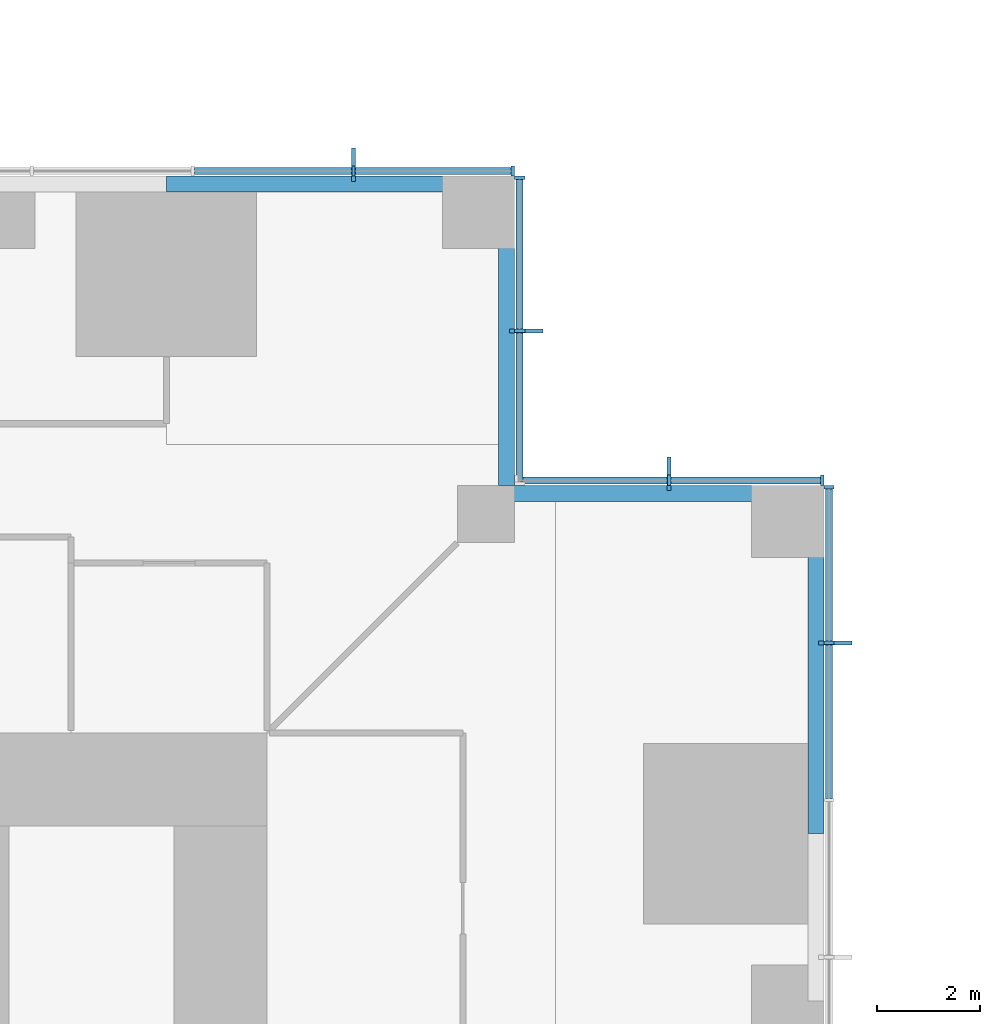
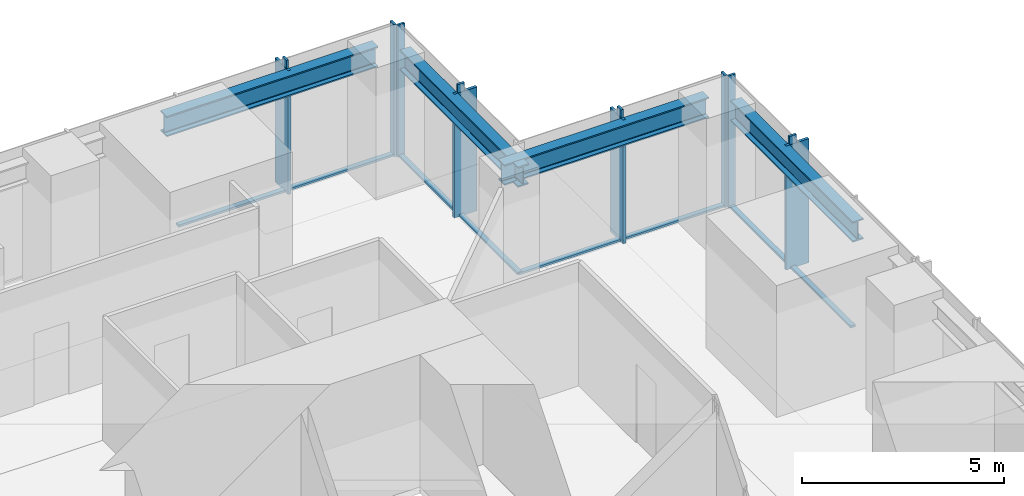
# One storey, part 6 of 15: 20 members, 4 beams, 4 elements without a shape of their own.
"""IFC4 building model written with IfcOpenShell, lengths in metres."""

from ifc_helpers import new_model, si_unit, direction, frame, origin, origin_2d, place, context, subcontext, project, spatial, rectangle, i_section, extrude, material, material_profile, profile_set, type_object, element, aggregate, save


model = new_model("IFC4")

# Units and contexts
model_context = context("Model", 3, precision=1e-05, world=origin(), true_north=direction((0.0, 1.0)))
body_context = subcontext(model_context, "Body", "Model", "MODEL_VIEW")
ifc_project = project(units=[si_unit("LENGTHUNIT", "METRE"), si_unit("AREAUNIT", "SQUARE_METRE"), si_unit("VOLUMEUNIT", "CUBIC_METRE"), si_unit("PLANEANGLEUNIT", "RADIAN"), si_unit("MASSUNIT", "GRAM", prefix="KILO")], contexts=[model_context])

# Site, building, storey
site_placement = place(None, origin())
site = spatial("IfcSite", under=ifc_project, at=site_placement, CompositionType="ELEMENT")
building_placement = place(site_placement, origin())
building = spatial("IfcBuilding", under=site, at=building_placement, Name="Svetlomir Tower", CompositionType="ELEMENT")
storey_placement = place(building_placement, frame((0.0, 0.0, 74.5)))
storey = spatial("IfcBuildingStorey", under=building, at=storey_placement, Name="L17", CompositionType="ELEMENT", Elevation=74.5)

# Curtain wall, member
ifc_material_1 = material(Name="Bronze anodised aluminium curtain wall", Category="aluminium")
curtain_wall_type = type_object("IfcCurtainWallType", Name="CURTAIN WALL CW1 TOWER OFFICE", PredefinedType="NOTDEFINED", material=ifc_material_1)
curtain_wall_1_placement = place(storey_placement, origin())
curtain_wall_1 = element("IfcCurtainWall", 1, at=curtain_wall_1_placement, inside=storey, type_object=curtain_wall_type, Name="Curtain wall CW1 L17", PredefinedType="NOTDEFINED")
ifc_material_2 = material(Name="Bronze anodised aluminium", Category="aluminium")
ifc_material_profile_1 = material_profile(ifc_material_2, rectangle(XDim=0.080078125, YDim=0.64990234375, at=origin_2d()), Name="FIN 80x650")
ifc_profile_set_1 = profile_set([ifc_material_profile_1], Name="Bronze anodised aluminium 6063-T6")
member_type_1 = type_object("IfcMemberType", Name="BRONZE FIN 80x650", PredefinedType="USERDEFINED", material=ifc_profile_set_1)
member_1_placement = place(storey_placement, frame((42.22509765625, 32.949951171875, 0.0), z_axis=(0.0, 0.0, 1.0), x_axis=(0.0, 1.0, 0.0)))
member_1 = element("IfcMember", 2, at=member_1_placement, type_object=member_type_1, Name="Bronze fin L17", ObjectType="FIN", PredefinedType="USERDEFINED", context=body_context, shape_type="SweptSolid", body=[
    extrude(rectangle(XDim=0.080078125, YDim=0.64990234375, at=origin_2d()), origin(), (0.0, 0.0, 1.0), 3.75),
])

curtain_wall_2_placement = place(storey_placement, origin())
curtain_wall_2 = element("IfcCurtainWall", 3, at=curtain_wall_2_placement, inside=storey, type_object=curtain_wall_type, Name="Curtain wall CW1 L17", PredefinedType="NOTDEFINED")
member_2_placement = place(storey_placement, frame((39.0, 36.22509765625, 0.0), z_axis=(0.0, 0.0, 1.0), x_axis=(1.0, 0.0, 0.0)))
member_2 = element("IfcMember", 4, at=member_2_placement, type_object=member_type_1, Name="Bronze fin L17", ObjectType="FIN", PredefinedType="USERDEFINED", context=body_context, shape_type="SweptSolid", body=[
    extrude(rectangle(XDim=0.080078125, YDim=0.64990234375, at=origin_2d()), origin(), (0.0, 0.0, 1.0), 3.75),
])

curtain_wall_3_placement = place(storey_placement, origin())
curtain_wall_3 = element("IfcCurtainWall", 5, at=curtain_wall_3_placement, inside=storey, type_object=curtain_wall_type, Name="Curtain wall CW1 L17", PredefinedType="NOTDEFINED")
member_3_placement = place(storey_placement, frame((36.22509765625, 39.0, 0.0), z_axis=(0.0, 0.0, 1.0), x_axis=(0.0, 1.0, 0.0)))
member_3 = element("IfcMember", 6, at=member_3_placement, type_object=member_type_1, Name="Bronze fin L17", ObjectType="FIN", PredefinedType="USERDEFINED", context=body_context, shape_type="SweptSolid", body=[
    extrude(rectangle(XDim=0.080078125, YDim=0.64990234375, at=origin_2d()), origin(), (0.0, 0.0, 1.0), 3.75),
])

curtain_wall_4_placement = place(storey_placement, origin())
curtain_wall_4 = element("IfcCurtainWall", 7, at=curtain_wall_4_placement, inside=storey, type_object=curtain_wall_type, Name="Curtain wall CW1 L17", PredefinedType="NOTDEFINED")
member_4_placement = place(storey_placement, frame((32.8798828125, 42.22509765625, 0.0), z_axis=(0.0, 0.0, 1.0), x_axis=(1.0, 0.0, 0.0)))
member_4 = element("IfcMember", 8, at=member_4_placement, type_object=member_type_1, Name="Bronze fin L17", ObjectType="FIN", PredefinedType="USERDEFINED", context=body_context, shape_type="SweptSolid", body=[
    extrude(rectangle(XDim=0.080078125, YDim=0.64990234375, at=origin_2d()), origin(), (0.0, 0.0, 1.0), 3.75),
])

# Member
ifc_material_3 = material(Name="Bronze anodised aluminium", Category="aluminium")
ifc_material_profile_2 = material_profile(ifc_material_3, rectangle(XDim=0.06494140625, YDim=0.199951171875, at=origin_2d()), Name="AL 65x200")
ifc_profile_set_2 = profile_set([ifc_material_profile_2], Name="Bronze anodised aluminium 6063-T6")
member_type_2 = type_object("IfcMemberType", Name="CW1 MULLION 65x200", PredefinedType="MULLION", material=ifc_profile_set_2)
member_5_placement = place(storey_placement, frame((42.10009765625, 32.949951171875, 0.0), z_axis=(0.0, 0.0, 1.0), x_axis=(0.0, 1.0, 0.0)))
member_5 = element("IfcMember", 9, at=member_5_placement, type_object=member_type_2, Name="CW1 mullion 8", PredefinedType="MULLION", context=body_context, shape_type="SweptSolid", body=[
    extrude(rectangle(XDim=0.06494140625, YDim=0.199951171875, at=origin_2d()), origin(), (0.0, 0.0, 1.0), 4.0),
])

member_6_placement = place(storey_placement, frame((42.10009765625, 35.967529296875, 0.0), z_axis=(0.0, 0.0, 1.0), x_axis=(0.0, 1.0, 0.0)))
member_6 = element("IfcMember", 10, at=member_6_placement, type_object=member_type_2, Name="CW1 mullion 9", PredefinedType="MULLION", context=body_context, shape_type="SweptSolid", body=[
    extrude(rectangle(XDim=0.06494140625, YDim=0.199951171875, at=origin_2d()), origin(), (0.0, 0.0, 1.0), 4.0),
])

member_7_placement = place(storey_placement, frame((41.967529296875, 36.10009765625, 0.0), z_axis=(0.0, 0.0, 1.0), x_axis=(-1.0, 0.0, 0.0)))
member_7 = element("IfcMember", 11, at=member_7_placement, type_object=member_type_2, Name="CW1 mullion 1", PredefinedType="MULLION", context=body_context, shape_type="SweptSolid", body=[
    extrude(rectangle(XDim=0.06494140625, YDim=0.199951171875, at=origin_2d()), origin(), (0.0, 0.0, 1.0), 4.0),
])

member_8_placement = place(storey_placement, frame((39.0, 36.10009765625, 0.0), z_axis=(0.0, 0.0, 1.0), x_axis=(-1.0, 0.0, 0.0)))
member_8 = element("IfcMember", 12, at=member_8_placement, type_object=member_type_2, Name="CW1 mullion 2", PredefinedType="MULLION", context=body_context, shape_type="SweptSolid", body=[
    extrude(rectangle(XDim=0.06494140625, YDim=0.199951171875, at=origin_2d()), origin(), (0.0, 0.0, 1.0), 4.0),
])

member_9_placement = place(storey_placement, frame((36.10009765625, 39.0, 0.0), z_axis=(0.0, 0.0, 1.0), x_axis=(0.0, 1.0, 0.0)))
member_9 = element("IfcMember", 13, at=member_9_placement, type_object=member_type_2, Name="CW1 mullion 2", PredefinedType="MULLION", context=body_context, shape_type="SweptSolid", body=[
    extrude(rectangle(XDim=0.06494140625, YDim=0.199951171875, at=origin_2d()), origin(), (0.0, 0.0, 1.0), 4.0),
])

member_10_placement = place(storey_placement, frame((36.10009765625, 41.967529296875, 0.0), z_axis=(0.0, 0.0, 1.0), x_axis=(0.0, 1.0, 0.0)))
member_10 = element("IfcMember", 14, at=member_10_placement, type_object=member_type_2, Name="CW1 mullion 3", PredefinedType="MULLION", context=body_context, shape_type="SweptSolid", body=[
    extrude(rectangle(XDim=0.06494140625, YDim=0.199951171875, at=origin_2d()), origin(), (0.0, 0.0, 1.0), 4.0),
])

member_11_placement = place(storey_placement, frame((35.967529296875, 42.10009765625, 0.0), z_axis=(0.0, 0.0, 1.0), x_axis=(-1.0, 0.0, 0.0)))
member_11 = element("IfcMember", 15, at=member_11_placement, type_object=member_type_2, Name="CW1 mullion 1", PredefinedType="MULLION", context=body_context, shape_type="SweptSolid", body=[
    extrude(rectangle(XDim=0.06494140625, YDim=0.199951171875, at=origin_2d()), origin(), (0.0, 0.0, 1.0), 4.0),
])

member_12_placement = place(storey_placement, frame((32.8798828125, 42.10009765625, 0.0), z_axis=(0.0, 0.0, 1.0), x_axis=(-1.0, 0.0, 0.0)))
member_12 = element("IfcMember", 16, at=member_12_placement, type_object=member_type_2, Name="CW1 mullion 2", PredefinedType="MULLION", context=body_context, shape_type="SweptSolid", body=[
    extrude(rectangle(XDim=0.06494140625, YDim=0.199951171875, at=origin_2d()), origin(), (0.0, 0.0, 1.0), 4.0),
])

ifc_material_4 = material(Name="Bronze anodised aluminium", Category="aluminium")
ifc_material_profile_3 = material_profile(ifc_material_4, rectangle(XDim=0.139892578125, YDim=0.06494140625, at=origin_2d()), Name="AL 140x65")
ifc_profile_set_3 = profile_set([ifc_material_profile_3], Name="Bronze anodised aluminium 6063-T6")
member_type_3 = type_object("IfcMemberType", Name="CW1 TRANSOM 65x140", PredefinedType="USERDEFINED", material=ifc_profile_set_3)
member_13_placement = place(storey_placement, frame((42.10009765625, 29.9326171875, 0.032470703125), z_axis=(0.0, 1.0, 0.0), x_axis=(-1.0, 0.0, 0.0)))
member_13 = element("IfcMember", 17, at=member_13_placement, type_object=member_type_3, Name="CW1 transom 7.1", ObjectType="TRANSOM", PredefinedType="USERDEFINED", context=body_context, shape_type="SweptSolid", body=[
    extrude(rectangle(XDim=0.139892578125, YDim=0.06494140625, at=origin_2d()), origin(), (0.0, 0.0, 1.0), 2.98486328125),
])

member_14_placement = place(storey_placement, frame((42.10009765625, 32.982421875, 0.032470703125), z_axis=(0.0, 1.0, 0.0), x_axis=(-1.0, 0.0, 0.0)))
member_14 = element("IfcMember", 18, at=member_14_placement, type_object=member_type_3, Name="CW1 transom 8.1", ObjectType="TRANSOM", PredefinedType="USERDEFINED", context=body_context, shape_type="SweptSolid", body=[
    extrude(rectangle(XDim=0.139892578125, YDim=0.06494140625, at=origin_2d()), origin(), (0.0, 0.0, 1.0), 2.95263671875),
])

aggregate(curtain_wall_1, [member_5, member_6, member_13, member_14, member_1])

member_15_placement = place(storey_placement, frame((41.93505859375, 36.10009765625, 0.032470703125), z_axis=(-1.0, 0.0, 0.0), x_axis=(0.0, -1.0, 0.0)))
member_15 = element("IfcMember", 19, at=member_15_placement, type_object=member_type_3, Name="CW1 transom 1.1", ObjectType="TRANSOM", PredefinedType="USERDEFINED", context=body_context, shape_type="SweptSolid", body=[
    extrude(rectangle(XDim=0.139892578125, YDim=0.06494140625, at=origin_2d()), origin(), (0.0, 0.0, 1.0), 2.902587890625),
])

member_16_placement = place(storey_placement, frame((38.967529296875, 36.10009765625, 0.032470703125), z_axis=(-1.0, 0.0, 0.0), x_axis=(0.0, -1.0, 0.0)))
member_16 = element("IfcMember", 20, at=member_16_placement, type_object=member_type_3, Name="CW1 transom 2.1", ObjectType="TRANSOM", PredefinedType="USERDEFINED", context=body_context, shape_type="SweptSolid", body=[
    extrude(rectangle(XDim=0.139892578125, YDim=0.06494140625, at=origin_2d()), origin(), (0.0, 0.0, 1.0), 2.902587890625),
])

aggregate(curtain_wall_2, [member_7, member_8, member_15, member_16, member_2])

member_17_placement = place(storey_placement, frame((36.10009765625, 36.06494140625, 0.032470703125), z_axis=(0.0, 1.0, 0.0), x_axis=(-1.0, 0.0, 0.0)))
member_17 = element("IfcMember", 21, at=member_17_placement, type_object=member_type_3, Name="CW1 transom 1.1", ObjectType="TRANSOM", PredefinedType="USERDEFINED", context=body_context, shape_type="SweptSolid", body=[
    extrude(rectangle(XDim=0.139892578125, YDim=0.06494140625, at=origin_2d()), origin(), (0.0, 0.0, 1.0), 2.902587890625),
])

member_18_placement = place(storey_placement, frame((36.10009765625, 39.032470703125, 0.032470703125), z_axis=(0.0, 1.0, 0.0), x_axis=(-1.0, 0.0, 0.0)))
member_18 = element("IfcMember", 22, at=member_18_placement, type_object=member_type_3, Name="CW1 transom 2.1", ObjectType="TRANSOM", PredefinedType="USERDEFINED", context=body_context, shape_type="SweptSolid", body=[
    extrude(rectangle(XDim=0.139892578125, YDim=0.06494140625, at=origin_2d()), origin(), (0.0, 0.0, 1.0), 2.902587890625),
])

aggregate(curtain_wall_3, [member_9, member_10, member_17, member_18, member_3])

member_19_placement = place(storey_placement, frame((35.93505859375, 42.10009765625, 0.032470703125), z_axis=(-1.0, 0.0, 0.0), x_axis=(0.0, -1.0, 0.0)))
member_19 = element("IfcMember", 23, at=member_19_placement, type_object=member_type_3, Name="CW1 transom 1.1", ObjectType="TRANSOM", PredefinedType="USERDEFINED", context=body_context, shape_type="SweptSolid", body=[
    extrude(rectangle(XDim=0.139892578125, YDim=0.06494140625, at=origin_2d()), origin(), (0.0, 0.0, 1.0), 3.0224609375),
])

member_20_placement = place(storey_placement, frame((32.847412109375, 42.10009765625, 0.032470703125), z_axis=(-1.0, 0.0, 0.0), x_axis=(0.0, -1.0, 0.0)))
member_20 = element("IfcMember", 24, at=member_20_placement, type_object=member_type_3, Name="CW1 transom 2.1", ObjectType="TRANSOM", PredefinedType="USERDEFINED", context=body_context, shape_type="SweptSolid", body=[
    extrude(rectangle(XDim=0.139892578125, YDim=0.06494140625, at=origin_2d()), origin(), (0.0, 0.0, 1.0), 3.054931640625),
])

aggregate(curtain_wall_4, [member_11, member_12, member_19, member_20, member_4])

# Beams
ifc_material_5 = material(Name="Steel S355", Category="steel")
ifc_material_profile_4 = material_profile(ifc_material_5, i_section(OverallWidth=0.304931640625, OverallDepth=0.6201171875, WebThickness=0.02099609375, FlangeThickness=0.0400390625, FilletRadius=0.027099609375, at=origin_2d()), Name="HEM 600")
ifc_profile_set_4 = profile_set([ifc_material_profile_4], Name="Steel S355")
beam_type = type_object("IfcBeamType", Name="EDGE BEAM HEM 600", PredefinedType="SPANDREL", material=ifc_profile_set_4)
for number, where, z_axis, x_axis, name in (
    (25, (41.847412109375, 29.25, 3.43994140625), (0.0, 1.0, 0.0), (-1.0, 0.0, 0.0), "Edge beam 42/31 to 42/36 under L18"),
    (26, (29.25, 41.847412109375, 3.43994140625), (1.0, 0.0, 0.0), (0.0, 1.0, 0.0), "Edge beam 31/42 to 36/42 under L18"),
):
    element("IfcBeam", number, at=place(storey_placement, frame(where, z_axis=z_axis, x_axis=x_axis)), inside=storey, type_object=beam_type, Name=name, PredefinedType="SPANDREL", context=body_context, shape_type="SweptSolid", body=[
        extrude(i_section(OverallWidth=0.304931640625, OverallDepth=0.6201171875, WebThickness=0.02099609375, FlangeThickness=0.0400390625, FilletRadius=0.027099609375, at=origin_2d()), origin(), (0.0, 0.0, 1.0), 6.050048828125),
    ])
for number, where, z_axis, x_axis, name in (
    (27, (35.847412109375, 41.300048828125, 3.43994140625), (0.0, -1.0, 0.0), (1.0, 0.0, 0.0), "Edge beam 36/42 to 36/36 under L18"),
    (28, (41.300048828125, 35.847412109375, 3.43994140625), (-1.0, 0.0, 0.0), (0.0, -1.0, 0.0), "Edge beam 42/36 to 36/36 under L18"),
):
    element("IfcBeam", number, at=place(storey_placement, frame(where, z_axis=z_axis, x_axis=x_axis)), inside=storey, type_object=beam_type, Name=name, PredefinedType="SPANDREL", context=body_context, shape_type="SweptSolid", body=[
        extrude(i_section(OverallWidth=0.304931640625, OverallDepth=0.6201171875, WebThickness=0.02099609375, FlangeThickness=0.0400390625, FilletRadius=0.027099609375, at=origin_2d()), origin(), (0.0, 0.0, 1.0), 5.85009765625),
    ])

save(model, "model.ifc")
